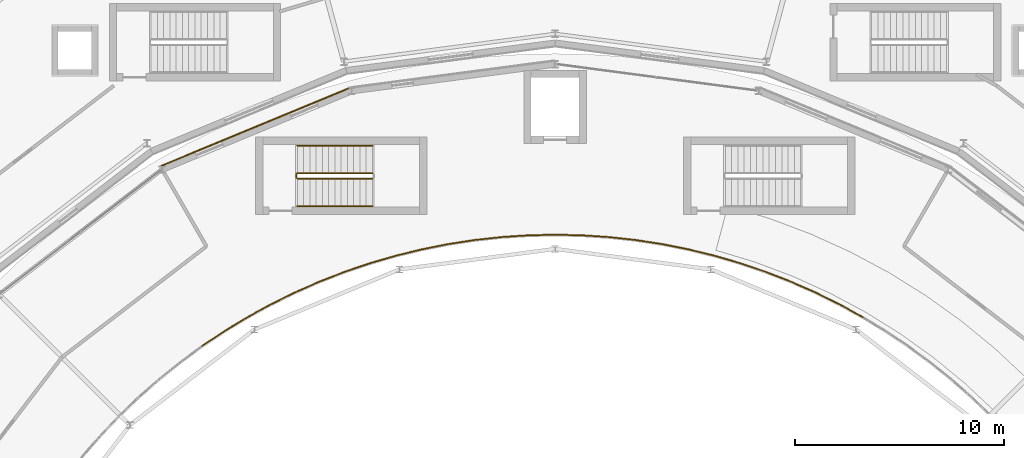
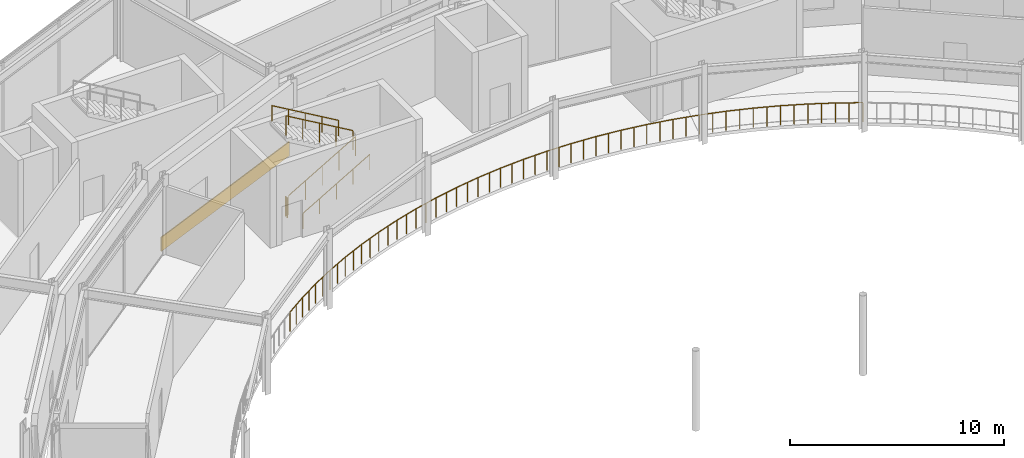
# One storey, part 125 of 133: 31 railings, 1 covering.
"""IFC4 building model written with IfcOpenShell, lengths in metres."""

from ifc_helpers import new_model, si_unit, direction, frame, origin, origin_2d, place, context, subcontext, project, spatial, rectangle, circle, extrude, material, layer, layer_set, type_object, element, save


model = new_model("IFC4")

# Units and contexts
model_context = context("Model", 3, precision=1e-05, world=origin(), true_north=direction((0.0, 1.0)))
body_context = subcontext(model_context, "Body", "Model", "MODEL_VIEW")
ifc_project = project(units=[si_unit("LENGTHUNIT", "METRE"), si_unit("AREAUNIT", "SQUARE_METRE"), si_unit("VOLUMEUNIT", "CUBIC_METRE"), si_unit("PLANEANGLEUNIT", "RADIAN"), si_unit("MASSUNIT", "GRAM", prefix="KILO")], contexts=[model_context])

# Site, building, storey
site_placement = place(None, origin())
site = spatial("IfcSite", under=ifc_project, at=site_placement, CompositionType="ELEMENT")
building_placement = place(site_placement, origin())
building = spatial("IfcBuilding", under=site, at=building_placement, Name="Almandine Court Research Institute", CompositionType="ELEMENT")
storey_placement = place(building_placement, frame((0.0, 0.0, 9.800048828125)))
storey = spatial("IfcBuildingStorey", under=building, at=storey_placement, Name="L02", CompositionType="ELEMENT", Elevation=9.800048828125)

# Covering
ifc_material_1 = material(Name="Extruded Cream-Ochre Seismic Terracotta Spandrel", Category="masonry")
ifc_layer = layer(ifc_material_1, 0.054931640625)
ifc_layer_set = layer_set([ifc_layer], Name="Extruded Cream-Ochre Seismic Terracotta Spandrel")
covering_type = type_object("IfcCoveringType", Name="Cov-CLAD-TERR", PredefinedType="CLADDING", material=ifc_layer_set)
covering_placement = place(storey_placement, frame((72.64990234375, 90.64404296875, 0.02001953125), z_axis=(0.0, 0.0, 1.0), x_axis=(0.923879532511, 0.382683432365, 0.0)))
element("IfcCovering", 1, at=covering_placement, inside=storey, type_object=covering_type, Name="L02 Facade Spandrel Cladding Band 459", PredefinedType="CLADDING", context=body_context, shape_type="SweptSolid", body=[
    extrude(rectangle(XDim=9.821044921875, YDim=0.054931640625, at=origin_2d()), origin(), (0.0, 0.0, 1.0), 0.800048828125),
])

# Railings
ifc_material_2 = material(Name="Powder-Coated Steel Stair and Atrium Balustrade", Category="steel")
railing_type_1 = type_object("IfcRailingType", Name="Rail-GUARD-INT", PredefinedType="BALUSTRADE", material=ifc_material_2)
railing_1_placement = place(storey_placement, frame((74.64990234375, 88.169921875, 0.175048828125)))
element("IfcRailing", 2, at=railing_1_placement, inside=storey, type_object=railing_type_1, Name="L02 ST-04 stair guard 1", PredefinedType="BALUSTRADE", context=body_context, shape_type="SweptSolid", body=[
    extrude(circle(Radius=0.02392578125, at=origin_2d()), frame((0.0, 0.0, 1.09619140625), z_axis=(0.863800146258, 0.0, 0.503834603144), x_axis=(0.0, 1.0, 0.0)), (0.0, 0.0, 1.0), 4.167724609375),
    extrude(circle(Radius=0.02099609375, at=origin_2d()), origin(), (0.0, 0.0, 1.0), 1.072021484375),
    extrude(circle(Radius=0.02099609375, at=origin_2d()), frame((0.89990234375, 0.0, 0.52490234375)), (0.0, 0.0, 1.0), 1.072021484375),
    extrude(circle(Radius=0.02099609375, at=origin_2d()), frame((1.800048828125, 0.0, 1.0498046875)), (0.0, 0.0, 1.0), 1.072021484375),
    extrude(circle(Radius=0.02099609375, at=origin_2d()), frame((2.7001953125, 0.0, 1.574951171875)), (0.0, 0.0, 1.0), 1.072021484375),
    extrude(circle(Radius=0.02099609375, at=origin_2d()), frame((3.60009765625, 0.0, 2.099853515625)), (0.0, 0.0, 1.0), 1.072021484375),
])
railing_2_placement = place(storey_placement, frame((78.25, 88.429931640625, 2.449951171875)))
element("IfcRailing", 3, at=railing_2_placement, inside=storey, type_object=railing_type_1, Name="L02 ST-04 stair guard 3", PredefinedType="BALUSTRADE", context=body_context, shape_type="SweptSolid", body=[
    extrude(circle(Radius=0.02392578125, at=origin_2d()), frame((0.0, 0.0, 1.09619140625), z_axis=(-0.863774651768, 0.0, 0.503878309678), x_axis=(0.0, -1.0, 0.0)), (0.0, 0.0, 1.0), 4.16796875),
    extrude(circle(Radius=0.02099609375, at=origin_2d()), origin(), (0.0, 0.0, 1.0), 1.072021484375),
    extrude(circle(Radius=0.02099609375, at=origin_2d()), frame((-0.89990234375, 0.0, 0.52490234375)), (0.0, 0.0, 1.0), 1.072021484375),
    extrude(circle(Radius=0.02099609375, at=origin_2d()), frame((-1.800048828125, 0.0, 1.050048828125)), (0.0, 0.0, 1.0), 1.072021484375),
    extrude(circle(Radius=0.02099609375, at=origin_2d()), frame((-2.7001953125, 0.0, 1.5751953125)), (0.0, 0.0, 1.0), 1.072021484375),
    extrude(circle(Radius=0.02099609375, at=origin_2d()), frame((-3.60009765625, 0.0, 2.10009765625)), (0.0, 0.0, 1.0), 1.072021484375),
])
railing_3_placement = place(storey_placement, frame((74.60009765625, 88.219970703125, 0.0)))
element("IfcRailing", 4, at=railing_3_placement, inside=storey, type_object=railing_type_1, Name="L02 ST-04 stair guard 4", PredefinedType="BALUSTRADE", context=body_context, shape_type="SweptSolid", body=[
    extrude(circle(Radius=0.02392578125, at=origin_2d()), frame((0.0, 0.0, 1.09619140625), z_axis=(0.0, 1.0, 0.0), x_axis=(-1.0, 0.0, 0.0)), (0.0, 0.0, 1.0), 0.159912109375),
    extrude(circle(Radius=0.02099609375, at=origin_2d()), origin(), (0.0, 0.0, 1.0), 1.072021484375),
    extrude(circle(Radius=0.02099609375, at=origin_2d()), frame((0.0, 0.159912109375, 0.0)), (0.0, 0.0, 1.0), 1.072021484375),
])
railing_4_placement = place(storey_placement, frame((101.739990234375, 81.530029296875, 0.0)))
element("IfcRailing", 5, at=railing_4_placement, inside=storey, type_object=railing_type_1, Name="L02 Atrium Gallery Void Balustrade 031", PredefinedType="BALUSTRADE", context=body_context, shape_type="SweptSolid", body=[
    extrude(circle(Radius=0.02392578125, at=origin_2d()), frame((0.0, 0.0, 1.09619140625), z_axis=(-0.876696249308, 0.481044370562, 0.0), x_axis=(-0.481044370562, -0.876696249308, 0.0)), (0.0, 0.0, 1.0), 1.28662109375),
    extrude(circle(Radius=0.02099609375, at=origin_2d()), origin(), (0.0, 0.0, 1.0), 1.072021484375),
    extrude(circle(Radius=0.02099609375, at=origin_2d()), frame((-0.56396484375, 0.3095703125, 0.0)), (0.0, 0.0, 1.0), 1.072021484375),
    extrude(circle(Radius=0.02099609375, at=origin_2d()), frame((-1.1279296875, 0.618896484375, 0.0)), (0.0, 0.0, 1.0), 1.072021484375),
])
railing_5_placement = place(storey_placement, frame((100.612060546875, 82.14892578125, 0.0)))
element("IfcRailing", 6, at=railing_5_placement, inside=storey, type_object=railing_type_1, Name="L02 Atrium Gallery Void Balustrade 032", PredefinedType="BALUSTRADE", context=body_context, shape_type="SweptSolid", body=[
    extrude(circle(Radius=0.02392578125, at=origin_2d()), frame((0.0, 0.0, 1.09619140625), z_axis=(-0.896731544141, 0.442574895065, 0.0), x_axis=(-0.442574895065, -0.896731544141, 0.0)), (0.0, 0.0, 1.0), 1.285888671875),
    extrude(circle(Radius=0.02099609375, at=origin_2d()), origin(), (0.0, 0.0, 1.0), 1.072021484375),
    extrude(circle(Radius=0.02099609375, at=origin_2d()), frame((-0.57666015625, 0.28466796875, 0.0)), (0.0, 0.0, 1.0), 1.072021484375),
    extrude(circle(Radius=0.02099609375, at=origin_2d()), frame((-1.153076171875, 0.569091796875, 0.0)), (0.0, 0.0, 1.0), 1.072021484375),
])
railing_6_placement = place(storey_placement, frame((99.458984375, 82.718017578125, 0.0)))
element("IfcRailing", 7, at=railing_6_placement, inside=storey, type_object=railing_type_1, Name="L02 Atrium Gallery Void Balustrade 033", PredefinedType="BALUSTRADE", context=body_context, shape_type="SweptSolid", body=[
    extrude(circle(Radius=0.02392578125, at=origin_2d()), frame((0.0, 0.0, 1.09619140625), z_axis=(-0.915261836193, 0.402859493135, 0.0), x_axis=(-0.402859493135, -0.915261836193, 0.0)), (0.0, 0.0, 1.0), 1.285888671875),
    extrude(circle(Radius=0.02099609375, at=origin_2d()), origin(), (0.0, 0.0, 1.0), 1.072021484375),
    extrude(circle(Radius=0.02099609375, at=origin_2d()), frame((-0.58837890625, 0.259033203125, 0.0)), (0.0, 0.0, 1.0), 1.072021484375),
    extrude(circle(Radius=0.02099609375, at=origin_2d()), frame((-1.177001953125, 0.51806640625, 0.0)), (0.0, 0.0, 1.0), 1.072021484375),
])
railing_7_placement = place(storey_placement, frame((98.281982421875, 83.236083984375, 0.0)))
element("IfcRailing", 8, at=railing_7_placement, inside=storey, type_object=railing_type_1, Name="L02 Atrium Gallery Void Balustrade 034", PredefinedType="BALUSTRADE", context=body_context, shape_type="SweptSolid", body=[
    extrude(circle(Radius=0.02392578125, at=origin_2d()), frame((0.0, 0.0, 1.09619140625), z_axis=(-0.93212216804, 0.362143982207, 0.0), x_axis=(-0.362143982207, -0.93212216804, 0.0)), (0.0, 0.0, 1.0), 1.286376953125),
    extrude(circle(Radius=0.02099609375, at=origin_2d()), origin(), (0.0, 0.0, 1.0), 1.072021484375),
    extrude(circle(Radius=0.02099609375, at=origin_2d()), frame((-0.599609375, 0.23291015625, 0.0)), (0.0, 0.0, 1.0), 1.072021484375),
    extrude(circle(Radius=0.02099609375, at=origin_2d()), frame((-1.198974609375, 0.4658203125, 0.0)), (0.0, 0.0, 1.0), 1.072021484375),
])
railing_8_placement = place(storey_placement, frame((97.0830078125, 83.701904296875, 0.0)))
element("IfcRailing", 9, at=railing_8_placement, inside=storey, type_object=railing_type_1, Name="L02 Atrium Gallery Void Balustrade 035", PredefinedType="BALUSTRADE", context=body_context, shape_type="SweptSolid", body=[
    extrude(circle(Radius=0.02392578125, at=origin_2d()), frame((0.0, 0.0, 1.09619140625), z_axis=(-0.946787781538, 0.321858504207, 0.0), x_axis=(-0.321858504207, -0.946787781538, 0.0)), (0.0, 0.0, 1.0), 1.286376953125),
    extrude(circle(Radius=0.02099609375, at=origin_2d()), origin(), (0.0, 0.0, 1.0), 1.072021484375),
    extrude(circle(Radius=0.02099609375, at=origin_2d()), frame((-0.60888671875, 0.20703125, 0.0)), (0.0, 0.0, 1.0), 1.072021484375),
    extrude(circle(Radius=0.02099609375, at=origin_2d()), frame((-1.218017578125, 0.4140625, 0.0)), (0.0, 0.0, 1.0), 1.072021484375),
])
railing_9_placement = place(storey_placement, frame((95.864990234375, 84.115966796875, 0.0)))
element("IfcRailing", 10, at=railing_9_placement, inside=storey, type_object=railing_type_1, Name="L02 Atrium Gallery Void Balustrade 036", PredefinedType="BALUSTRADE", context=body_context, shape_type="SweptSolid", body=[
    extrude(circle(Radius=0.02392578125, at=origin_2d()), frame((0.0, 0.0, 1.09619140625), z_axis=(-0.96023138712, 0.279205449783, 0.0), x_axis=(-0.279205449783, -0.96023138712, 0.0)), (0.0, 0.0, 1.0), 1.286376953125),
    extrude(circle(Radius=0.02099609375, at=origin_2d()), origin(), (0.0, 0.0, 1.0), 1.072021484375),
    extrude(circle(Radius=0.02099609375, at=origin_2d()), frame((-0.61767578125, 0.1796875, 0.0)), (0.0, 0.0, 1.0), 1.072021484375),
    extrude(circle(Radius=0.02099609375, at=origin_2d()), frame((-1.235107421875, 0.359130859375, 0.0)), (0.0, 0.0, 1.0), 1.072021484375),
])
railing_10_placement = place(storey_placement, frame((94.6298828125, 84.47509765625, 0.0)))
element("IfcRailing", 11, at=railing_10_placement, inside=storey, type_object=railing_type_1, Name="L02 Atrium Gallery Void Balustrade 037", PredefinedType="BALUSTRADE", context=body_context, shape_type="SweptSolid", body=[
    extrude(circle(Radius=0.02392578125, at=origin_2d()), frame((0.0, 0.0, 1.09619140625), z_axis=(-0.971282088681, 0.237930881157, 0.0), x_axis=(-0.237930881157, -0.971282088681, 0.0)), (0.0, 0.0, 1.0), 1.28564453125),
    extrude(circle(Radius=0.02099609375, at=origin_2d()), origin(), (0.0, 0.0, 1.0), 1.072021484375),
    extrude(circle(Radius=0.02099609375, at=origin_2d()), frame((-0.62451171875, 0.15283203125, 0.0)), (0.0, 0.0, 1.0), 1.072021484375),
    extrude(circle(Radius=0.02099609375, at=origin_2d()), frame((-1.248779296875, 0.305908203125, 0.0)), (0.0, 0.0, 1.0), 1.072021484375),
])
railing_11_placement = place(storey_placement, frame((93.381103515625, 84.781005859375, 0.0)))
element("IfcRailing", 12, at=railing_11_placement, inside=storey, type_object=railing_type_1, Name="L02 Atrium Gallery Void Balustrade 038", PredefinedType="BALUSTRADE", context=body_context, shape_type="SweptSolid", body=[
    extrude(circle(Radius=0.02392578125, at=origin_2d()), frame((0.0, 0.0, 1.09619140625), z_axis=(-0.980798960653, 0.195021534149, 0.0), x_axis=(-0.195021534149, -0.980798960653, 0.0)), (0.0, 0.0, 1.0), 1.286865234375),
    extrude(circle(Radius=0.02099609375, at=origin_2d()), origin(), (0.0, 0.0, 1.0), 1.072021484375),
    extrude(circle(Radius=0.02099609375, at=origin_2d()), frame((-0.631103515625, 0.12548828125, 0.0)), (0.0, 0.0, 1.0), 1.072021484375),
    extrude(circle(Radius=0.02099609375, at=origin_2d()), frame((-1.26220703125, 0.2509765625, 0.0)), (0.0, 0.0, 1.0), 1.072021484375),
])
railing_12_placement = place(storey_placement, frame((92.118896484375, 85.031982421875, 0.0)))
element("IfcRailing", 13, at=railing_12_placement, inside=storey, type_object=railing_type_1, Name="L02 Atrium Gallery Void Balustrade 039", PredefinedType="BALUSTRADE", context=body_context, shape_type="SweptSolid", body=[
    extrude(circle(Radius=0.02392578125, at=origin_2d()), frame((0.0, 0.0, 1.09619140625), z_axis=(-0.988312365865, 0.152442341489, 0.0), x_axis=(-0.152442341489, -0.988312365865, 0.0)), (0.0, 0.0, 1.0), 1.2861328125),
    extrude(circle(Radius=0.02099609375, at=origin_2d()), origin(), (0.0, 0.0, 1.0), 1.072021484375),
    extrude(circle(Radius=0.02099609375, at=origin_2d()), frame((-0.635498046875, 0.09814453125, 0.0)), (0.0, 0.0, 1.0), 1.072021484375),
    extrude(circle(Radius=0.02099609375, at=origin_2d()), frame((-1.27099609375, 0.196044921875, 0.0)), (0.0, 0.0, 1.0), 1.072021484375),
])
railing_13_placement = place(storey_placement, frame((90.847900390625, 85.22802734375, 0.0)))
element("IfcRailing", 14, at=railing_13_placement, inside=storey, type_object=railing_type_1, Name="L02 Atrium Gallery Void Balustrade 040", PredefinedType="BALUSTRADE", context=body_context, shape_type="SweptSolid", body=[
    extrude(circle(Radius=0.02392578125, at=origin_2d()), frame((0.0, 0.0, 1.09619140625), z_axis=(-0.994069768613, 0.108744172855, 0.0), x_axis=(-0.108744172855, -0.994069768613, 0.0)), (0.0, 0.0, 1.0), 1.286376953125),
    extrude(circle(Radius=0.02099609375, at=origin_2d()), origin(), (0.0, 0.0, 1.0), 1.072021484375),
    extrude(circle(Radius=0.02099609375, at=origin_2d()), frame((-0.639404296875, 0.06982421875, 0.0)), (0.0, 0.0, 1.0), 1.072021484375),
    extrude(circle(Radius=0.02099609375, at=origin_2d()), frame((-1.27880859375, 0.139892578125, 0.0)), (0.0, 0.0, 1.0), 1.072021484375),
])
railing_14_placement = place(storey_placement, frame((89.569091796875, 85.367919921875, 0.0)))
element("IfcRailing", 15, at=railing_14_placement, inside=storey, type_object=railing_type_1, Name="L02 Atrium Gallery Void Balustrade 041", PredefinedType="BALUSTRADE", context=body_context, shape_type="SweptSolid", body=[
    extrude(circle(Radius=0.02392578125, at=origin_2d()), frame((0.0, 0.0, 1.09619140625), z_axis=(-0.997865069906, 0.065309281592, 0.0), x_axis=(-0.065309281592, -0.997865069906, 0.0)), (0.0, 0.0, 1.0), 1.285888671875),
    extrude(circle(Radius=0.02099609375, at=origin_2d()), origin(), (0.0, 0.0, 1.0), 1.072021484375),
    extrude(circle(Radius=0.02099609375, at=origin_2d()), frame((-0.6416015625, 0.0419921875, 0.0)), (0.0, 0.0, 1.0), 1.072021484375),
    extrude(circle(Radius=0.02099609375, at=origin_2d()), frame((-1.283203125, 0.083984375, 0.0)), (0.0, 0.0, 1.0), 1.072021484375),
])
railing_15_placement = place(storey_placement, frame((88.285888671875, 85.451904296875, 0.0)))
element("IfcRailing", 16, at=railing_15_placement, inside=storey, type_object=railing_type_1, Name="L02 Atrium Gallery Void Balustrade 042", PredefinedType="BALUSTRADE", context=body_context, shape_type="SweptSolid", body=[
    extrude(circle(Radius=0.02392578125, at=origin_2d()), frame((0.0, 0.0, 1.09619140625), z_axis=(-0.999761722079, 0.021828858561, 0.0), x_axis=(-0.021828858561, -0.999761722079, 0.0)), (0.0, 0.0, 1.0), 1.2861328125),
    extrude(circle(Radius=0.02099609375, at=origin_2d()), origin(), (0.0, 0.0, 1.0), 1.072021484375),
    extrude(circle(Radius=0.02099609375, at=origin_2d()), frame((-0.64306640625, 0.01416015625, 0.0)), (0.0, 0.0, 1.0), 1.072021484375),
    extrude(circle(Radius=0.02099609375, at=origin_2d()), frame((-1.285888671875, 0.028076171875, 0.0)), (0.0, 0.0, 1.0), 1.072021484375),
])
railing_16_placement = place(storey_placement, frame((87.0, 85.47998046875, 0.0)))
element("IfcRailing", 17, at=railing_16_placement, inside=storey, type_object=railing_type_1, Name="L02 Atrium Gallery Void Balustrade 043", PredefinedType="BALUSTRADE", context=body_context, shape_type="SweptSolid", body=[
    extrude(circle(Radius=0.02392578125, at=origin_2d()), frame((0.0, 0.0, 1.09619140625), z_axis=(-0.999761722079, -0.021828858561, 0.0), x_axis=(0.021828858561, -0.999761722079, 0.0)), (0.0, 0.0, 1.0), 1.2861328125),
    extrude(circle(Radius=0.02099609375, at=origin_2d()), origin(), (0.0, 0.0, 1.0), 1.072021484375),
    extrude(circle(Radius=0.02099609375, at=origin_2d()), frame((-0.64306640625, -0.01416015625, 0.0)), (0.0, 0.0, 1.0), 1.072021484375),
    extrude(circle(Radius=0.02099609375, at=origin_2d()), frame((-1.285888671875, -0.028076171875, 0.0)), (0.0, 0.0, 1.0), 1.072021484375),
])
railing_17_placement = place(storey_placement, frame((85.714111328125, 85.451904296875, 0.0)))
element("IfcRailing", 18, at=railing_17_placement, inside=storey, type_object=railing_type_1, Name="L02 Atrium Gallery Void Balustrade 044", PredefinedType="BALUSTRADE", context=body_context, shape_type="SweptSolid", body=[
    extrude(circle(Radius=0.02392578125, at=origin_2d()), frame((0.0, 0.0, 1.09619140625), z_axis=(-0.997865069906, -0.065309281592, 0.0), x_axis=(0.065309281592, -0.997865069906, 0.0)), (0.0, 0.0, 1.0), 1.285888671875),
    extrude(circle(Radius=0.02099609375, at=origin_2d()), origin(), (0.0, 0.0, 1.0), 1.072021484375),
    extrude(circle(Radius=0.02099609375, at=origin_2d()), frame((-0.6416015625, -0.0419921875, 0.0)), (0.0, 0.0, 1.0), 1.072021484375),
    extrude(circle(Radius=0.02099609375, at=origin_2d()), frame((-1.283203125, -0.083984375, 0.0)), (0.0, 0.0, 1.0), 1.072021484375),
])
railing_18_placement = place(storey_placement, frame((84.430908203125, 85.367919921875, 0.0)))
element("IfcRailing", 19, at=railing_18_placement, inside=storey, type_object=railing_type_1, Name="L02 Atrium Gallery Void Balustrade 045", PredefinedType="BALUSTRADE", context=body_context, shape_type="SweptSolid", body=[
    extrude(circle(Radius=0.02392578125, at=origin_2d()), frame((0.0, 0.0, 1.09619140625), z_axis=(-0.994069768613, -0.108744172855, 0.0), x_axis=(0.108744172855, -0.994069768613, 0.0)), (0.0, 0.0, 1.0), 1.286376953125),
    extrude(circle(Radius=0.02099609375, at=origin_2d()), origin(), (0.0, 0.0, 1.0), 1.072021484375),
    extrude(circle(Radius=0.02099609375, at=origin_2d()), frame((-0.639404296875, -0.06982421875, 0.0)), (0.0, 0.0, 1.0), 1.072021484375),
    extrude(circle(Radius=0.02099609375, at=origin_2d()), frame((-1.27880859375, -0.139892578125, 0.0)), (0.0, 0.0, 1.0), 1.072021484375),
])
railing_19_placement = place(storey_placement, frame((83.152099609375, 85.22802734375, 0.0)))
element("IfcRailing", 20, at=railing_19_placement, inside=storey, type_object=railing_type_1, Name="L02 Atrium Gallery Void Balustrade 046", PredefinedType="BALUSTRADE", context=body_context, shape_type="SweptSolid", body=[
    extrude(circle(Radius=0.02392578125, at=origin_2d()), frame((0.0, 0.0, 1.09619140625), z_axis=(-0.988312365865, -0.152442341489, 0.0), x_axis=(0.152442341489, -0.988312365865, 0.0)), (0.0, 0.0, 1.0), 1.2861328125),
    extrude(circle(Radius=0.02099609375, at=origin_2d()), origin(), (0.0, 0.0, 1.0), 1.072021484375),
    extrude(circle(Radius=0.02099609375, at=origin_2d()), frame((-0.635498046875, -0.09814453125, 0.0)), (0.0, 0.0, 1.0), 1.072021484375),
    extrude(circle(Radius=0.02099609375, at=origin_2d()), frame((-1.27099609375, -0.196044921875, 0.0)), (0.0, 0.0, 1.0), 1.072021484375),
])
railing_20_placement = place(storey_placement, frame((81.881103515625, 85.031982421875, 0.0)))
element("IfcRailing", 21, at=railing_20_placement, inside=storey, type_object=railing_type_1, Name="L02 Atrium Gallery Void Balustrade 047", PredefinedType="BALUSTRADE", context=body_context, shape_type="SweptSolid", body=[
    extrude(circle(Radius=0.02392578125, at=origin_2d()), frame((0.0, 0.0, 1.09619140625), z_axis=(-0.980798960653, -0.195021534149, 0.0), x_axis=(0.195021534149, -0.980798960653, 0.0)), (0.0, 0.0, 1.0), 1.286865234375),
    extrude(circle(Radius=0.02099609375, at=origin_2d()), origin(), (0.0, 0.0, 1.0), 1.072021484375),
    extrude(circle(Radius=0.02099609375, at=origin_2d()), frame((-0.631103515625, -0.12548828125, 0.0)), (0.0, 0.0, 1.0), 1.072021484375),
    extrude(circle(Radius=0.02099609375, at=origin_2d()), frame((-1.26220703125, -0.2509765625, 0.0)), (0.0, 0.0, 1.0), 1.072021484375),
])
railing_21_placement = place(storey_placement, frame((80.618896484375, 84.781005859375, 0.0)))
element("IfcRailing", 22, at=railing_21_placement, inside=storey, type_object=railing_type_1, Name="L02 Atrium Gallery Void Balustrade 048", PredefinedType="BALUSTRADE", context=body_context, shape_type="SweptSolid", body=[
    extrude(circle(Radius=0.02392578125, at=origin_2d()), frame((0.0, 0.0, 1.09619140625), z_axis=(-0.971282088681, -0.237930881157, 0.0), x_axis=(0.237930881157, -0.971282088681, 0.0)), (0.0, 0.0, 1.0), 1.28564453125),
    extrude(circle(Radius=0.02099609375, at=origin_2d()), origin(), (0.0, 0.0, 1.0), 1.072021484375),
    extrude(circle(Radius=0.02099609375, at=origin_2d()), frame((-0.62451171875, -0.15283203125, 0.0)), (0.0, 0.0, 1.0), 1.072021484375),
    extrude(circle(Radius=0.02099609375, at=origin_2d()), frame((-1.248779296875, -0.305908203125, 0.0)), (0.0, 0.0, 1.0), 1.072021484375),
])
railing_22_placement = place(storey_placement, frame((79.3701171875, 84.47509765625, 0.0)))
element("IfcRailing", 23, at=railing_22_placement, inside=storey, type_object=railing_type_1, Name="L02 Atrium Gallery Void Balustrade 049", PredefinedType="BALUSTRADE", context=body_context, shape_type="SweptSolid", body=[
    extrude(circle(Radius=0.02392578125, at=origin_2d()), frame((0.0, 0.0, 1.09619140625), z_axis=(-0.96023138712, -0.279205449783, 0.0), x_axis=(0.279205449783, -0.96023138712, 0.0)), (0.0, 0.0, 1.0), 1.286376953125),
    extrude(circle(Radius=0.02099609375, at=origin_2d()), origin(), (0.0, 0.0, 1.0), 1.072021484375),
    extrude(circle(Radius=0.02099609375, at=origin_2d()), frame((-0.61767578125, -0.1796875, 0.0)), (0.0, 0.0, 1.0), 1.072021484375),
    extrude(circle(Radius=0.02099609375, at=origin_2d()), frame((-1.235107421875, -0.359130859375, 0.0)), (0.0, 0.0, 1.0), 1.072021484375),
])
railing_23_placement = place(storey_placement, frame((78.135009765625, 84.115966796875, 0.0)))
element("IfcRailing", 24, at=railing_23_placement, inside=storey, type_object=railing_type_1, Name="L02 Atrium Gallery Void Balustrade 050", PredefinedType="BALUSTRADE", context=body_context, shape_type="SweptSolid", body=[
    extrude(circle(Radius=0.02392578125, at=origin_2d()), frame((0.0, 0.0, 1.09619140625), z_axis=(-0.946787781538, -0.321858504207, 0.0), x_axis=(0.321858504207, -0.946787781538, 0.0)), (0.0, 0.0, 1.0), 1.286376953125),
    extrude(circle(Radius=0.02099609375, at=origin_2d()), origin(), (0.0, 0.0, 1.0), 1.072021484375),
    extrude(circle(Radius=0.02099609375, at=origin_2d()), frame((-0.60888671875, -0.20703125, 0.0)), (0.0, 0.0, 1.0), 1.072021484375),
    extrude(circle(Radius=0.02099609375, at=origin_2d()), frame((-1.218017578125, -0.4140625, 0.0)), (0.0, 0.0, 1.0), 1.072021484375),
])
railing_24_placement = place(storey_placement, frame((76.9169921875, 83.701904296875, 0.0)))
element("IfcRailing", 25, at=railing_24_placement, inside=storey, type_object=railing_type_1, Name="L02 Atrium Gallery Void Balustrade 051", PredefinedType="BALUSTRADE", context=body_context, shape_type="SweptSolid", body=[
    extrude(circle(Radius=0.02392578125, at=origin_2d()), frame((0.0, 0.0, 1.09619140625), z_axis=(-0.93212216804, -0.362143982207, 0.0), x_axis=(0.362143982207, -0.93212216804, 0.0)), (0.0, 0.0, 1.0), 1.286376953125),
    extrude(circle(Radius=0.02099609375, at=origin_2d()), origin(), (0.0, 0.0, 1.0), 1.072021484375),
    extrude(circle(Radius=0.02099609375, at=origin_2d()), frame((-0.599609375, -0.23291015625, 0.0)), (0.0, 0.0, 1.0), 1.072021484375),
    extrude(circle(Radius=0.02099609375, at=origin_2d()), frame((-1.198974609375, -0.4658203125, 0.0)), (0.0, 0.0, 1.0), 1.072021484375),
])
railing_25_placement = place(storey_placement, frame((75.718017578125, 83.236083984375, 0.0)))
element("IfcRailing", 26, at=railing_25_placement, inside=storey, type_object=railing_type_1, Name="L02 Atrium Gallery Void Balustrade 052", PredefinedType="BALUSTRADE", context=body_context, shape_type="SweptSolid", body=[
    extrude(circle(Radius=0.02392578125, at=origin_2d()), frame((0.0, 0.0, 1.09619140625), z_axis=(-0.915261836193, -0.402859493135, 0.0), x_axis=(0.402859493135, -0.915261836193, 0.0)), (0.0, 0.0, 1.0), 1.285888671875),
    extrude(circle(Radius=0.02099609375, at=origin_2d()), origin(), (0.0, 0.0, 1.0), 1.072021484375),
    extrude(circle(Radius=0.02099609375, at=origin_2d()), frame((-0.58837890625, -0.259033203125, 0.0)), (0.0, 0.0, 1.0), 1.072021484375),
    extrude(circle(Radius=0.02099609375, at=origin_2d()), frame((-1.177001953125, -0.51806640625, 0.0)), (0.0, 0.0, 1.0), 1.072021484375),
])
railing_26_placement = place(storey_placement, frame((74.541015625, 82.718017578125, 0.0)))
element("IfcRailing", 27, at=railing_26_placement, inside=storey, type_object=railing_type_1, Name="L02 Atrium Gallery Void Balustrade 053", PredefinedType="BALUSTRADE", context=body_context, shape_type="SweptSolid", body=[
    extrude(circle(Radius=0.02392578125, at=origin_2d()), frame((0.0, 0.0, 1.09619140625), z_axis=(-0.896731544141, -0.442574895065, 0.0), x_axis=(0.442574895065, -0.896731544141, 0.0)), (0.0, 0.0, 1.0), 1.285888671875),
    extrude(circle(Radius=0.02099609375, at=origin_2d()), origin(), (0.0, 0.0, 1.0), 1.072021484375),
    extrude(circle(Radius=0.02099609375, at=origin_2d()), frame((-0.57666015625, -0.28466796875, 0.0)), (0.0, 0.0, 1.0), 1.072021484375),
    extrude(circle(Radius=0.02099609375, at=origin_2d()), frame((-1.153076171875, -0.569091796875, 0.0)), (0.0, 0.0, 1.0), 1.072021484375),
])
railing_27_placement = place(storey_placement, frame((73.387939453125, 82.14892578125, 0.0)))
element("IfcRailing", 28, at=railing_27_placement, inside=storey, type_object=railing_type_1, Name="L02 Atrium Gallery Void Balustrade 054", PredefinedType="BALUSTRADE", context=body_context, shape_type="SweptSolid", body=[
    extrude(circle(Radius=0.02392578125, at=origin_2d()), frame((0.0, 0.0, 1.09619140625), z_axis=(-0.876696249308, -0.481044370562, 0.0), x_axis=(0.481044370562, -0.876696249308, 0.0)), (0.0, 0.0, 1.0), 1.28662109375),
    extrude(circle(Radius=0.02099609375, at=origin_2d()), origin(), (0.0, 0.0, 1.0), 1.072021484375),
    extrude(circle(Radius=0.02099609375, at=origin_2d()), frame((-0.56396484375, -0.3095703125, 0.0)), (0.0, 0.0, 1.0), 1.072021484375),
    extrude(circle(Radius=0.02099609375, at=origin_2d()), frame((-1.1279296875, -0.618896484375, 0.0)), (0.0, 0.0, 1.0), 1.072021484375),
])
railing_28_placement = place(storey_placement, frame((72.260009765625, 81.530029296875, 0.0)))
element("IfcRailing", 29, at=railing_28_placement, inside=storey, type_object=railing_type_1, Name="L02 Atrium Gallery Void Balustrade 055", PredefinedType="BALUSTRADE", context=body_context, shape_type="SweptSolid", body=[
    extrude(circle(Radius=0.02392578125, at=origin_2d()), frame((0.0, 0.0, 1.09619140625), z_axis=(-0.855106055364, -0.518453116568, 0.0), x_axis=(0.518453116568, -0.855106055364, 0.0)), (0.0, 0.0, 1.0), 1.28662109375),
    extrude(circle(Radius=0.02099609375, at=origin_2d()), origin(), (0.0, 0.0, 1.0), 1.072021484375),
    extrude(circle(Radius=0.02099609375, at=origin_2d()), frame((-0.550048828125, -0.33349609375, 0.0)), (0.0, 0.0, 1.0), 1.072021484375),
    extrude(circle(Radius=0.02099609375, at=origin_2d()), frame((-1.10009765625, -0.6669921875, 0.0)), (0.0, 0.0, 1.0), 1.072021484375),
])
railing_29_placement = place(storey_placement, frame((71.159912109375, 80.863037109375, 0.0)))
element("IfcRailing", 30, at=railing_29_placement, inside=storey, type_object=railing_type_1, Name="L02 Atrium Gallery Void Balustrade 056", PredefinedType="BALUSTRADE", context=body_context, shape_type="SweptSolid", body=[
    extrude(circle(Radius=0.02392578125, at=origin_2d()), frame((0.0, 0.0, 1.09619140625), z_axis=(-0.831494710184, -0.555532669549, 0.0), x_axis=(0.555532669549, -0.831494710184, 0.0)), (0.0, 0.0, 1.0), 1.285400390625),
    extrude(circle(Radius=0.02099609375, at=origin_2d()), origin(), (0.0, 0.0, 1.0), 1.072021484375),
    extrude(circle(Radius=0.02099609375, at=origin_2d()), frame((-0.534423828125, -0.35693359375, 0.0)), (0.0, 0.0, 1.0), 1.072021484375),
    extrude(circle(Radius=0.02099609375, at=origin_2d()), frame((-1.06884765625, -0.714111328125, 0.0)), (0.0, 0.0, 1.0), 1.072021484375),
])
ifc_material_3 = material(Name="Brushed Stainless Steel Wall Handrail", Category="steel")
railing_type_2 = type_object("IfcRailingType", Name="Rail-HAND-INT", PredefinedType="HANDRAIL", material=ifc_material_3)
railing_30_placement = place(storey_placement, frame((74.64990234375, 86.85009765625, 0.175048828125)))
element("IfcRailing", 31, at=railing_30_placement, inside=storey, type_object=railing_type_2, Name="L02 ST-04 stair handrail 1", PredefinedType="HANDRAIL", context=body_context, shape_type="SweptSolid", body=[
    extrude(circle(Radius=0.02392578125, at=origin_2d()), frame((0.0, 0.0, 0.8759765625), z_axis=(0.863800146258, 0.0, 0.503834603144), x_axis=(0.0, 1.0, 0.0)), (0.0, 0.0, 1.0), 4.167724609375),
    extrude(circle(Radius=0.02099609375, at=origin_2d()), origin(), (0.0, 0.0, 1.0), 0.851806640625),
    extrude(circle(Radius=0.02099609375, at=origin_2d()), frame((0.89990234375, 0.0, 0.52490234375)), (0.0, 0.0, 1.0), 0.851806640625),
    extrude(circle(Radius=0.02099609375, at=origin_2d()), frame((1.800048828125, 0.0, 1.0498046875)), (0.0, 0.0, 1.0), 0.851806640625),
    extrude(circle(Radius=0.02099609375, at=origin_2d()), frame((2.7001953125, 0.0, 1.574951171875)), (0.0, 0.0, 1.0), 0.851806640625),
    extrude(circle(Radius=0.02099609375, at=origin_2d()), frame((3.60009765625, 0.0, 2.099853515625)), (0.0, 0.0, 1.0), 0.851806640625),
])
railing_31_placement = place(storey_placement, frame((78.25, 89.75, 2.449951171875)))
element("IfcRailing", 32, at=railing_31_placement, inside=storey, type_object=railing_type_2, Name="L02 ST-04 stair handrail 2", PredefinedType="HANDRAIL", context=body_context, shape_type="SweptSolid", body=[
    extrude(circle(Radius=0.02392578125, at=origin_2d()), frame((0.0, 0.0, 0.8759765625), z_axis=(-0.863774651768, 0.0, 0.503878309678), x_axis=(0.0, -1.0, 0.0)), (0.0, 0.0, 1.0), 4.16796875),
    extrude(circle(Radius=0.02099609375, at=origin_2d()), origin(), (0.0, 0.0, 1.0), 0.851806640625),
    extrude(circle(Radius=0.02099609375, at=origin_2d()), frame((-0.89990234375, 0.0, 0.52490234375)), (0.0, 0.0, 1.0), 0.851806640625),
    extrude(circle(Radius=0.02099609375, at=origin_2d()), frame((-1.800048828125, 0.0, 1.050048828125)), (0.0, 0.0, 1.0), 0.851806640625),
    extrude(circle(Radius=0.02099609375, at=origin_2d()), frame((-2.7001953125, 0.0, 1.5751953125)), (0.0, 0.0, 1.0), 0.851806640625),
    extrude(circle(Radius=0.02099609375, at=origin_2d()), frame((-3.60009765625, 0.0, 2.10009765625)), (0.0, 0.0, 1.0), 0.851806640625),
])

save(model, "model.ifc")
